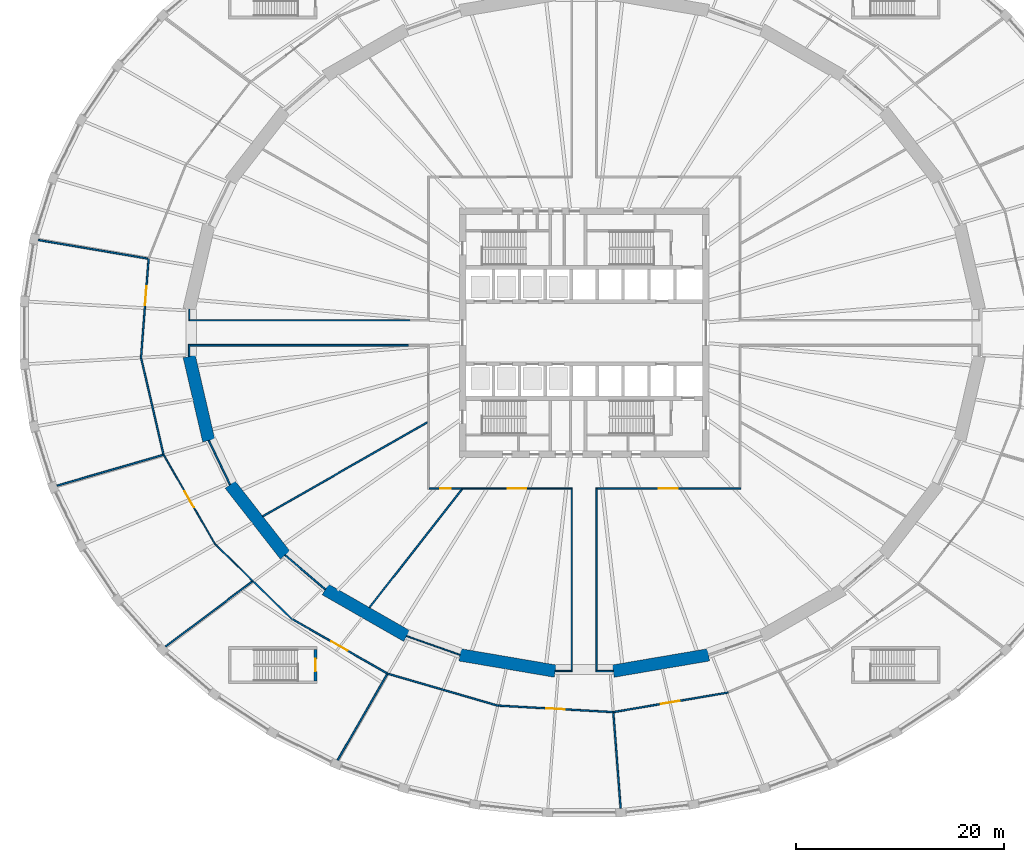
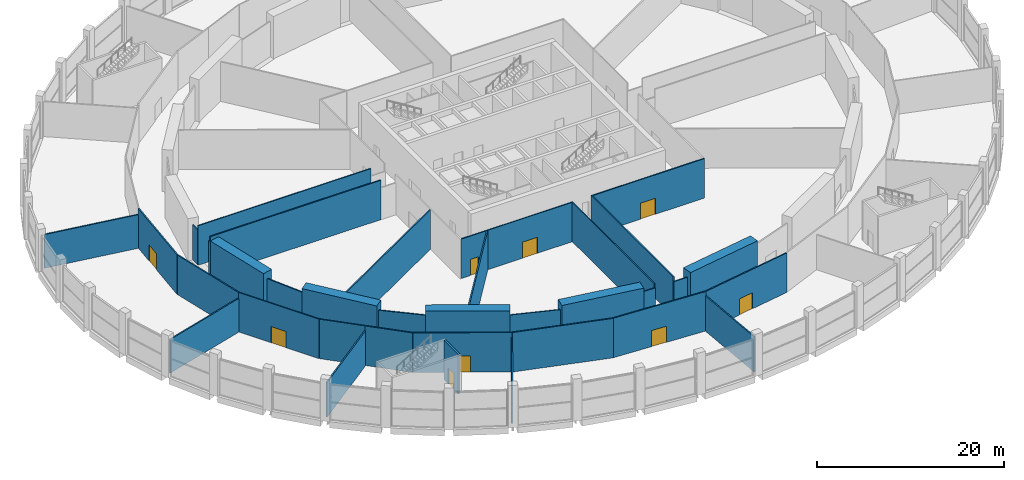
# One storey, part 20 of 29: 36 walls, 9 doors, 9 openings.
"""IFC4 building model written with IfcOpenShell, lengths in metres."""

from ifc_helpers import new_model, si_unit, direction, frame, frame_2d, origin, place, context, subcontext, project, spatial, polyline, rectangle, outline, extrude, material, layer, layer_set, type_object, element, fill, save


model = new_model("IFC4")

# Units and contexts
model_context = context("Model", 3, precision=1e-05, world=origin(), true_north=direction((0.0, 1.0)))
body_context = subcontext(model_context, "Body", "Model", "MODEL_VIEW")
ifc_project = project(units=[si_unit("LENGTHUNIT", "METRE"), si_unit("AREAUNIT", "SQUARE_METRE"), si_unit("VOLUMEUNIT", "CUBIC_METRE"), si_unit("PLANEANGLEUNIT", "RADIAN"), si_unit("MASSUNIT", "GRAM", prefix="KILO")], contexts=[model_context])

# Site, building, storey
site_placement = place(None, origin())
site = spatial("IfcSite", under=ifc_project, at=site_placement, CompositionType="ELEMENT")
building_placement = place(site_placement, origin())
building = spatial("IfcBuilding", under=site, at=building_placement, Name="Halqa Exchange Tower", CompositionType="ELEMENT")
storey_placement = place(building_placement, frame((0.0, 0.0, 12.5)))
storey = spatial("IfcBuildingStorey", under=building, at=storey_placement, Name="L02", CompositionType="ELEMENT", Elevation=12.5)

# Wall, opening, door
ifc_material_1 = material(Name="Fire-rated gypsum board")
ifc_layer_1 = layer(ifc_material_1, 0.14990234375)
ifc_layer_set_1 = layer_set([ifc_layer_1], Name="Fire-rated gypsum board")
wall_type_1 = type_object("IfcWallType", Name="Fire partition EI 60 150", PredefinedType="PARTITIONING", material=ifc_layer_set_1)
wall_1_placement = place(storey_placement, frame((-42.67822265625, -2.49658203125, 0.0), z_axis=(0.0, 0.0, 1.0), x_axis=(0.076457224601, 0.997072862336, 0.0)))
wall_1 = element("IfcWall", 1, at=wall_1_placement, inside=storey, type_object=wall_type_1, Name="L02-PWL-001", PredefinedType="PARTITIONING", context=body_context, shape_type="SweptSolid", body=[
    extrude(rectangle(XDim=9.67529296875, YDim=0.14990234375, at=frame_2d((4.837646484375, 0.0))), origin(), (0.0, 0.0, 1.0), 5.14990234375),
])
opening_1_placement = place(wall_1_placement, frame((5.1796875, 0.0, 0.0)))
opening_1 = element("IfcOpeningElement", 2, at=opening_1_placement, cuts=wall_1, Name="Opening L02-24", PredefinedType="OPENING", context=body_context, shape_type="SweptSolid", body=[
    extrude(rectangle(XDim=1.800048828125, YDim=2.10009765625, at=frame_2d((0.89990234375, 1.050048828125))), frame((0.0, 0.0869140625, 0.0), z_axis=(0.0, -1.0, 0.0), x_axis=(1.0, 0.0, 0.0)), (0.0, 0.0, 1.0), 0.173828125),
])
ifc_material_2 = material(Name="Steel fire door leaf", Category="steel")
door_type_1 = type_object("IfcDoorType", Name="Fire door FD30S double 1800 x 2100", OperationType="DOUBLE_DOOR_SINGLE_SWING", PredefinedType="DOOR", material=ifc_material_2)
door_1_placement = place(opening_1_placement, origin())
door_1 = element("IfcDoor", 3, at=door_1_placement, inside=storey, type_object=door_type_1, Name="L02-IDR-024", OperationType="DOUBLE_DOOR_SINGLE_SWING", OverallHeight=2.10009765625, OverallWidth=1.800048828125, PredefinedType="DOOR", context=body_context, shape_type="SweptSolid", body=[
    extrude(rectangle(XDim=1.800048828125, YDim=2.10009765625, at=frame_2d((0.89990234375, 1.050048828125))), frame((0.0, 0.02490234375, 0.0), z_axis=(0.0, -1.0, 0.0), x_axis=(1.0, 0.0, 0.0)), (0.0, 0.0, 1.0), 0.050048828125),
])
fill(opening_1, door_1)

# Walls
wall_2_placement = place(storey_placement, frame((-42.013916015625, 7.142578125, 0.0), z_axis=(0.0, 0.0, 1.0), x_axis=(-0.985896712353, 0.167354929928, 0.0)))
element("IfcWall", 4, at=wall_2_placement, inside=storey, type_object=wall_type_1, Name="L02-PWL-002", PredefinedType="PARTITIONING", context=body_context, shape_type="SweptSolid", body=[
    extrude(outline(polyline([(0.0, -0.074951171875), (10.707763671875, -0.074951171875), (10.716552734375, 0.074951171875), (0.0, 0.074951171875), (0.0, -0.074951171875)])), origin(), (0.0, 0.0, 1.0), 4.39697265625),
])
wall_3_placement = place(storey_placement, frame((-40.571533203125, -11.7607421875, 0.0), z_axis=(0.0, 0.0, 1.0), x_axis=(-0.960400225856, -0.278624130642, 0.0)))
element("IfcWall", 5, at=wall_3_placement, inside=storey, type_object=wall_type_1, Name="L02-PWL-004", PredefinedType="PARTITIONING", context=body_context, shape_type="SweptSolid", body=[
    extrude(outline(polyline([(0.0, -0.074951171875), (10.625244140625, -0.074951171875), (10.611083984375, 0.074951171875), (0.0, 0.074951171875), (0.0, -0.074951171875)])), origin(), (0.0, 0.0, 1.0), 4.39697265625),
])
wall_4_placement = place(storey_placement, frame((-40.497802734375, -11.749267578125, 0.0), z_axis=(0.0, 0.0, 1.0), x_axis=(-0.226077870445, 0.974109232322, 0.0)))
element("IfcWall", 6, at=wall_4_placement, inside=storey, type_object=wall_type_1, Name="L02-PWL-005", PredefinedType="PARTITIONING", context=body_context, shape_type="SweptSolid", body=[
    extrude(rectangle(XDim=9.49658203125, YDim=0.14990234375, at=frame_2d((4.748291015625, 0.0))), origin(), (0.0, 0.0, 1.0), 5.14990234375),
])
wall_5_placement = place(storey_placement, frame((-40.33740234375, -30.2255859375, 0.0), z_axis=(0.0, 0.0, 1.0), x_axis=(0.800114543622, 0.599847244792, 0.0)))
element("IfcWall", 7, at=wall_5_placement, inside=storey, type_object=wall_type_1, Name="L02-PWL-007", PredefinedType="PARTITIONING", context=body_context, shape_type="SweptSolid", body=[
    extrude(outline(polyline([(0.011474609375, -0.074951171875), (10.4853515625, -0.074951171875), (10.4853515625, 0.074951171875), (-0.011474609375, 0.074951171875), (0.011474609375, -0.074951171875)])), origin(), (0.0, 0.0, 1.0), 4.550048828125),
])
wall_6_placement = place(storey_placement, frame((-38.030029296875, -1.125, 0.0), z_axis=(0.0, 0.0, 1.0), x_axis=(0.0, -1.0, 0.0)))
element("IfcWall", 8, at=wall_6_placement, inside=storey, type_object=wall_type_1, Name="L02-PWL-009", PredefinedType="PARTITIONING", context=body_context, shape_type="SweptSolid", body=[
    extrude(outline(polyline([(0.0, -0.074951171875), (1.159912109375, -0.074951171875), (1.125244140625, 0.074951171875), (0.0, 0.074951171875), (0.0, -0.074951171875)])), origin(), (0.0, 0.0, 1.0), 4.60009765625),
])
wall_7_placement = place(storey_placement, frame((-36.14990234375, -10.3798828125, 0.0), z_axis=(0.0, 0.0, 1.0), x_axis=(0.436102687495, -0.899896908518, 0.0)))
element("IfcWall", 9, at=wall_7_placement, inside=storey, type_object=wall_type_1, Name="L02-PWL-012", PredefinedType="PARTITIONING", context=body_context, shape_type="SweptSolid", body=[
    extrude(outline(polyline([(-0.01708984375, -0.074951171875), (4.71533203125, -0.074951171875), (4.68310546875, 0.074951171875), (0.01708984375, 0.074951171875), (-0.01708984375, -0.074951171875)])), origin(), (0.0, 0.0, 1.0), 4.60009765625),
])
wall_8_placement = place(storey_placement, frame((-31.89990234375, -23.89990234375, 0.0), z_axis=(0.0, 0.0, 1.0), x_axis=(0.714809256367, -0.699319474212, 0.0)))
element("IfcWall", 10, at=wall_8_placement, inside=storey, type_object=wall_type_1, Name="L02-PWL-017", PredefinedType="PARTITIONING", context=body_context, shape_type="SweptSolid", body=[
    extrude(rectangle(XDim=5.24853515625, YDim=0.14990234375, at=frame_2d((2.624267578125, 0.0))), origin(), (0.0, 0.0, 1.0), 5.14990234375),
])
wall_9_placement = place(storey_placement, frame((-28.789306640625, -21.41064453125, 0.0), z_axis=(0.0, 0.0, 1.0), x_axis=(0.760084552743, -0.649824185978, 0.0)))
element("IfcWall", 11, at=wall_9_placement, inside=storey, type_object=wall_type_1, Name="L02-PWL-018", PredefinedType="PARTITIONING", context=body_context, shape_type="SweptSolid", body=[
    extrude(outline(polyline([(-0.015380859375, -0.074951171875), (5.089111328125, -0.074951171875), (5.060791015625, 0.074951171875), (0.015380859375, 0.074951171875), (-0.015380859375, -0.074951171875)])), origin(), (0.0, 0.0, 1.0), 4.60009765625),
])
wall_10_placement = place(storey_placement, frame((-20.679931640625, -26.449951171875, 0.0), z_axis=(0.0, 0.0, 1.0), x_axis=(0.616461511357, 0.787385042413, 0.0)))
element("IfcWall", 12, at=wall_10_placement, inside=storey, type_object=wall_type_1, Name="L02-PWL-022", PredefinedType="PARTITIONING", context=body_context, shape_type="SweptSolid", body=[
    extrude(outline(polyline([(0.010986328125, -0.074951171875), (14.517822265625, -0.074951171875), (14.517822265625, 0.074951171875), (-0.010986328125, 0.074951171875), (0.010986328125, -0.074951171875)])), origin(), (0.0, 0.0, 1.0), 5.14990234375),
])

# Wall, opening, door
wall_11_placement = place(storey_placement, frame((-18.922119140625, -32.8203125, 0.0), z_axis=(0.0, 0.0, 1.0), x_axis=(-0.867956944139, 0.496639449823, 0.0)))
wall_11 = element("IfcWall", 13, at=wall_11_placement, inside=storey, type_object=wall_type_1, Name="L02-PWL-024", PredefinedType="PARTITIONING", context=body_context, shape_type="SweptSolid", body=[
    extrude(rectangle(XDim=10.609375, YDim=0.14990234375, at=frame_2d((5.3046875, 0.0))), origin(), (0.0, 0.0, 1.0), 5.14990234375),
])
opening_2_placement = place(wall_11_placement, frame((4.46630859375, 0.0, 0.0)))
opening_2 = element("IfcOpeningElement", 14, at=opening_2_placement, cuts=wall_11, Name="Opening L02-17", PredefinedType="OPENING", context=body_context, shape_type="SweptSolid", body=[
    extrude(rectangle(XDim=1.800048828125, YDim=2.10009765625, at=frame_2d((0.89990234375, 1.050048828125))), frame((0.0, 0.0869140625, 0.0), z_axis=(0.0, -1.0, 0.0), x_axis=(1.0, 0.0, 0.0)), (0.0, 0.0, 1.0), 0.173828125),
])
door_2_placement = place(opening_2_placement, origin())
door_2 = element("IfcDoor", 15, at=door_2_placement, inside=storey, type_object=door_type_1, Name="L02-IDR-017", OperationType="DOUBLE_DOOR_SINGLE_SWING", OverallHeight=2.10009765625, OverallWidth=1.800048828125, PredefinedType="DOOR", context=body_context, shape_type="SweptSolid", body=[
    extrude(rectangle(XDim=1.800048828125, YDim=2.10009765625, at=frame_2d((0.89990234375, 1.050048828125))), frame((0.0, 0.02490234375, 0.0), z_axis=(0.0, -1.0, 0.0), x_axis=(1.0, 0.0, 0.0)), (0.0, 0.0, 1.0), 0.050048828125),
])
fill(opening_2, door_2)

# Walls
wall_12_placement = place(storey_placement, frame((-18.977294921875, -32.875, 0.0), z_axis=(0.0, 0.0, 1.0), x_axis=(-0.499235523932, -0.866466324588, 0.0)))
element("IfcWall", 16, at=wall_12_placement, inside=storey, type_object=wall_type_1, Name="L02-PWL-025", PredefinedType="PARTITIONING", context=body_context, shape_type="SweptSolid", body=[
    extrude(outline(polyline([(0.0, -0.074951171875), (9.56005859375, -0.074951171875), (9.54150390625, 0.074951171875), (0.0, 0.074951171875), (0.0, -0.074951171875)])), origin(), (0.0, 0.0, 1.0), 4.550048828125),
])
wall_13_placement = place(storey_placement, frame((-15.07421875, -8.602294921875, 0.0), z_axis=(0.0, 0.0, 1.0), x_axis=(-0.868343386691, -0.495963469209, 0.0)))
element("IfcWall", 17, at=wall_13_placement, inside=storey, type_object=wall_type_1, Name="L02-PWL-029", PredefinedType="PARTITIONING", context=body_context, shape_type="SweptSolid", body=[
    extrude(outline(polyline([(-0.042724609375, -0.074951171875), (18.292236328125, -0.074951171875), (18.270751953125, 0.074951171875), (0.042724609375, 0.074951171875), (-0.042724609375, -0.074951171875)])), origin(), (0.0, 0.0, 1.0), 5.14990234375),
])

# Wall, opening, door
wall_14_placement = place(storey_placement, frame((-11.81005859375, -15.0, 0.0), z_axis=(0.0, 0.0, 1.0), x_axis=(-1.0, 0.0, 0.0)))
wall_14 = element("IfcWall", 18, at=wall_14_placement, inside=storey, type_object=wall_type_1, Name="L02-PWL-037", PredefinedType="PARTITIONING", context=body_context, shape_type="SweptSolid", body=[
    extrude(rectangle(XDim=3.114990234375, YDim=0.14990234375, at=frame_2d((1.5576171875, 0.0))), origin(), (0.0, 0.0, 1.0), 5.14990234375),
])
opening_3_placement = place(wall_14_placement, frame((1.0400390625, 0.0, 0.0)))
opening_3 = element("IfcOpeningElement", 19, at=opening_3_placement, cuts=wall_14, Name="Opening L02-09", PredefinedType="OPENING", context=body_context, shape_type="SweptSolid", body=[
    extrude(rectangle(XDim=1.0, YDim=2.10009765625, at=frame_2d((0.5, 1.050048828125))), frame((0.0, 0.0869140625, 0.0), z_axis=(0.0, -1.0, 0.0), x_axis=(1.0, 0.0, 0.0)), (0.0, 0.0, 1.0), 0.173828125),
])
door_type_2 = type_object("IfcDoorType", Name="Fire door FD30S 1000 x 2100", OperationType="SINGLE_SWING_LEFT", PredefinedType="DOOR", material=ifc_material_2)
door_3_placement = place(opening_3_placement, origin())
door_3 = element("IfcDoor", 20, at=door_3_placement, inside=storey, type_object=door_type_2, Name="L02-IDR-009", OperationType="SINGLE_SWING_RIGHT", OverallHeight=2.10009765625, OverallWidth=1.0, PredefinedType="DOOR", context=body_context, shape_type="SweptSolid", body=[
    extrude(rectangle(XDim=1.0, YDim=2.10009765625, at=frame_2d((0.5, 1.050048828125))), frame((0.0, 0.02490234375, 0.0), z_axis=(0.0, -1.0, 0.0), x_axis=(1.0, 0.0, 0.0)), (0.0, 0.0, 1.0), 0.050048828125),
])
fill(opening_3, door_3)

# Walls
wall_15_placement = place(storey_placement, frame((-8.25634765625, -35.917236328125, 0.0), z_axis=(0.0, 0.0, 1.0), x_axis=(-0.960212446938, 0.279270579805, 0.0)))
element("IfcWall", 21, at=wall_15_placement, inside=storey, type_object=wall_type_1, Name="L02-PWL-039", PredefinedType="PARTITIONING", context=body_context, shape_type="SweptSolid", body=[
    extrude(rectangle(XDim=11.10595703125, YDim=0.14990234375, at=frame_2d((5.552978515625, 0.0))), origin(), (0.0, 0.0, 1.0), 5.14990234375),
])
wall_16_placement = place(storey_placement, frame((1.125, -32.570068359375, 0.0), z_axis=(0.0, 0.0, 1.0), x_axis=(1.0, 0.0, 0.0)))
element("IfcWall", 22, at=wall_16_placement, inside=storey, type_object=wall_type_1, Name="L02-PWL-047", PredefinedType="PARTITIONING", context=body_context, shape_type="SweptSolid", body=[
    extrude(outline(polyline([(0.0, -0.074951171875), (1.67578125, -0.074951171875), (1.650390625, 0.074951171875), (0.0, 0.074951171875), (0.0, -0.074951171875)])), origin(), (0.0, 0.0, 1.0), 4.60009765625),
])
wall_17_placement = place(storey_placement, frame((1.199951171875, -14.925048828125, 0.0), z_axis=(0.0, 0.0, 1.0), x_axis=(0.0, -1.0, 0.0)))
element("IfcWall", 23, at=wall_17_placement, inside=storey, type_object=wall_type_1, Name="L02-PWL-048", PredefinedType="PARTITIONING", context=body_context, shape_type="SweptSolid", body=[
    extrude(rectangle(XDim=17.570068359375, YDim=0.14990234375, at=frame_2d((8.78515625, 0.0))), origin(), (0.0, 0.0, 1.0), 5.14990234375),
])

# Wall, opening, door
wall_18_placement = place(storey_placement, frame((2.81591796875, -36.52099609375, 0.0), z_axis=(0.0, 0.0, 1.0), x_axis=(-0.998406555372, 0.056430046876, 0.0)))
wall_18 = element("IfcWall", 24, at=wall_18_placement, inside=storey, type_object=wall_type_1, Name="L02-PWL-052", PredefinedType="PARTITIONING", context=body_context, shape_type="SweptSolid", body=[
    extrude(rectangle(XDim=11.084228515625, YDim=0.14990234375, at=frame_2d((5.5419921875, 0.0))), origin(), (0.0, 0.0, 1.0), 5.14990234375),
])
opening_4_placement = place(wall_18_placement, frame((4.699951171875, 0.0, 0.0)))
opening_4 = element("IfcOpeningElement", 25, at=opening_4_placement, cuts=wall_18, Name="Opening L02-26", PredefinedType="OPENING", context=body_context, shape_type="SweptSolid", body=[
    extrude(rectangle(XDim=1.800048828125, YDim=2.10009765625, at=frame_2d((0.89990234375, 1.050048828125))), frame((0.0, 0.0869140625, 0.0), z_axis=(0.0, -1.0, 0.0), x_axis=(1.0, 0.0, 0.0)), (0.0, 0.0, 1.0), 0.173828125),
])
door_4_placement = place(opening_4_placement, origin())
door_4 = element("IfcDoor", 26, at=door_4_placement, inside=storey, type_object=door_type_1, Name="L02-IDR-026", OperationType="DOUBLE_DOOR_SINGLE_SWING", OverallHeight=2.10009765625, OverallWidth=1.800048828125, PredefinedType="DOOR", context=body_context, shape_type="SweptSolid", body=[
    extrude(rectangle(XDim=1.800048828125, YDim=2.10009765625, at=frame_2d((0.89990234375, 1.050048828125))), frame((0.0, 0.02490234375, 0.0), z_axis=(0.0, -1.0, 0.0), x_axis=(1.0, 0.0, 0.0)), (0.0, 0.0, 1.0), 0.050048828125),
])
fill(opening_4, door_4)

# Wall
wall_19_placement = place(storey_placement, frame((2.8056640625, -36.5947265625, 0.0), z_axis=(0.0, 0.0, 1.0), x_axis=(0.076140518104, -0.997097097329, 0.0)))
element("IfcWall", 27, at=wall_19_placement, inside=storey, type_object=wall_type_1, Name="L02-PWL-053", PredefinedType="PARTITIONING", context=body_context, shape_type="SweptSolid", body=[
    extrude(outline(polyline([(0.0, -0.074951171875), (9.233154296875, -0.074951171875), (9.236083984375, 0.074951171875), (0.0, 0.074951171875), (0.0, -0.074951171875)])), origin(), (0.0, 0.0, 1.0), 4.60009765625),
])

# Wall, opening, door
wall_20_placement = place(storey_placement, frame((13.857177734375, -34.63330078125, 0.0), z_axis=(0.0, 0.0, 1.0), x_axis=(-0.985751589261, -0.168207622505, 0.0)))
wall_20 = element("IfcWall", 28, at=wall_20_placement, inside=storey, type_object=wall_type_1, Name="L02-PWL-056", PredefinedType="PARTITIONING", context=body_context, shape_type="SweptSolid", body=[
    extrude(rectangle(XDim=11.2021484375, YDim=0.14990234375, at=frame_2d((5.60107421875, 0.0))), origin(), (0.0, 0.0, 1.0), 5.14990234375),
])
opening_5_placement = place(wall_20_placement, frame((4.7578125, 0.0, 0.0)))
opening_5 = element("IfcOpeningElement", 29, at=opening_5_placement, cuts=wall_20, Name="Opening L02-27", PredefinedType="OPENING", context=body_context, shape_type="SweptSolid", body=[
    extrude(rectangle(XDim=1.800048828125, YDim=2.10009765625, at=frame_2d((0.89990234375, 1.050048828125))), frame((0.0, 0.0869140625, 0.0), z_axis=(0.0, -1.0, 0.0), x_axis=(1.0, 0.0, 0.0)), (0.0, 0.0, 1.0), 0.173828125),
])
door_5_placement = place(opening_5_placement, origin())
door_5 = element("IfcDoor", 30, at=door_5_placement, inside=storey, type_object=door_type_1, Name="L02-IDR-027", OperationType="DOUBLE_DOOR_SINGLE_SWING", OverallHeight=2.10009765625, OverallWidth=1.800048828125, PredefinedType="DOOR", context=body_context, shape_type="SweptSolid", body=[
    extrude(rectangle(XDim=1.800048828125, YDim=2.10009765625, at=frame_2d((0.89990234375, 1.050048828125))), frame((0.0, 0.02490234375, 0.0), z_axis=(0.0, -1.0, 0.0), x_axis=(1.0, 0.0, 0.0)), (0.0, 0.0, 1.0), 0.050048828125),
])
fill(opening_5, door_5)

wall_21_placement = place(storey_placement, frame((15.074951171875, -15.0, 0.0), z_axis=(0.0, 0.0, 1.0), x_axis=(-1.0, 0.0, 0.0)))
wall_21 = element("IfcWall", 31, at=wall_21_placement, inside=storey, type_object=wall_type_1, Name="L02-PWL-058", PredefinedType="PARTITIONING", context=body_context, shape_type="SweptSolid", body=[
    extrude(rectangle(XDim=13.800048828125, YDim=0.14990234375, at=frame_2d((6.89990234375, 0.0))), origin(), (0.0, 0.0, 1.0), 5.14990234375),
])
opening_6_placement = place(wall_21_placement, frame((6.090087890625, 0.0, 0.0)))
opening_6 = element("IfcOpeningElement", 32, at=opening_6_placement, cuts=wall_21, Name="Opening L02-11", PredefinedType="OPENING", context=body_context, shape_type="SweptSolid", body=[
    extrude(rectangle(XDim=1.800048828125, YDim=2.10009765625, at=frame_2d((0.89990234375, 1.050048828125))), frame((0.0, 0.0869140625, 0.0), z_axis=(0.0, -1.0, 0.0), x_axis=(1.0, 0.0, 0.0)), (0.0, 0.0, 1.0), 0.173828125),
])
door_6_placement = place(opening_6_placement, origin())
door_6 = element("IfcDoor", 33, at=door_6_placement, inside=storey, type_object=door_type_1, Name="L02-IDR-011", OperationType="DOUBLE_DOOR_SINGLE_SWING", OverallHeight=2.10009765625, OverallWidth=1.800048828125, PredefinedType="DOOR", context=body_context, shape_type="SweptSolid", body=[
    extrude(rectangle(XDim=1.800048828125, YDim=2.10009765625, at=frame_2d((0.89990234375, 1.050048828125))), frame((0.0, 0.02490234375, 0.0), z_axis=(0.0, -1.0, 0.0), x_axis=(1.0, 0.0, 0.0)), (0.0, 0.0, 1.0), 0.050048828125),
])
fill(opening_6, door_6)

# Walls
wall_22_placement = place(storey_placement, frame((-16.91796875, -1.199951171875, 0.0), z_axis=(0.0, 0.0, 1.0), x_axis=(-1.0, 0.0, 0.0)))
element("IfcWall", 34, at=wall_22_placement, inside=storey, type_object=wall_type_1, Name="L02-PWL-089", PredefinedType="PARTITIONING", context=body_context, shape_type="SweptSolid", body=[
    extrude(rectangle(XDim=21.037109375, YDim=0.14990234375, at=frame_2d((10.5185546875, 0.0))), origin(), (0.0, 0.0, 1.0), 5.14990234375),
])
ifc_material_3 = material(Name="Fire-rated glazing", Category="glass")
ifc_layer_2 = layer(ifc_material_3, 0.1201171875)
ifc_layer_set_2 = layer_set([ifc_layer_2], Name="Fire-rated glazing")
wall_type_2 = type_object("IfcWallType", Name="Glazed fire partition EI 60 120", PredefinedType="PARTITIONING", material=ifc_layer_set_2)
wall_23_placement = place(storey_placement, frame((-38.090087890625, 1.199951171875, 0.0), z_axis=(0.0, 0.0, 1.0), x_axis=(1.0, 0.0, 0.0)))
element("IfcWall", 35, at=wall_23_placement, inside=storey, type_object=wall_type_2, Name="L02-PWL-010", PredefinedType="PARTITIONING", context=body_context, shape_type="SweptSolid", body=[
    extrude(rectangle(XDim=21.349853515625, YDim=0.1201171875, at=frame_2d((10.6748046875, 0.0))), origin(), (0.0, 0.0, 1.0), 5.14990234375),
])
wall_24_placement = place(storey_placement, frame((-38.030029296875, 2.267578125, 0.0), z_axis=(0.0, 0.0, 1.0), x_axis=(0.0, -1.0, 0.0)))
element("IfcWall", 36, at=wall_24_placement, inside=storey, type_object=wall_type_2, Name="L02-PWL-011", PredefinedType="PARTITIONING", context=body_context, shape_type="SweptSolid", body=[
    extrude(outline(polyline([(-0.013916015625, -0.06005859375), (1.007568359375, -0.06005859375), (1.007568359375, 0.06005859375), (0.013916015625, 0.06005859375), (-0.013916015625, -0.06005859375)])), origin(), (0.0, 0.0, 1.0), 4.60009765625),
])

# Wall, opening, door
wall_25_placement = place(storey_placement, frame((-35.529052734375, -20.381103515625, 0.0), z_axis=(0.0, 0.0, 1.0), x_axis=(-0.498652566112, 0.866801948723, 0.0)))
wall_25 = element("IfcWall", 37, at=wall_25_placement, inside=storey, type_object=wall_type_2, Name="L02-PWL-013", PredefinedType="PARTITIONING", context=body_context, shape_type="SweptSolid", body=[
    extrude(rectangle(XDim=9.9599609375, YDim=0.1201171875, at=frame_2d((4.97998046875, 0.0))), origin(), (0.0, 0.0, 1.0), 5.14990234375),
])
opening_7_placement = place(wall_25_placement, frame((4.12548828125, 0.0, 0.0)))
opening_7 = element("IfcOpeningElement", 38, at=opening_7_placement, cuts=wall_25, Name="Opening L02-25", PredefinedType="OPENING", context=body_context, shape_type="SweptSolid", body=[
    extrude(rectangle(XDim=1.800048828125, YDim=2.10009765625, at=frame_2d((0.89990234375, 1.050048828125))), frame((0.0, 0.072021484375, 0.0), z_axis=(0.0, -1.0, 0.0), x_axis=(1.0, 0.0, 0.0)), (0.0, 0.0, 1.0), 0.14404296875),
])
door_7_placement = place(opening_7_placement, origin())
door_7 = element("IfcDoor", 39, at=door_7_placement, inside=storey, type_object=door_type_1, Name="L02-IDR-025", OperationType="DOUBLE_DOOR_SINGLE_SWING", OverallHeight=2.10009765625, OverallWidth=1.800048828125, PredefinedType="DOOR", context=body_context, shape_type="SweptSolid", body=[
    extrude(rectangle(XDim=1.800048828125, YDim=2.10009765625, at=frame_2d((0.89990234375, 1.050048828125))), frame((0.0, 0.02490234375, 0.0), z_axis=(0.0, -1.0, 0.0), x_axis=(1.0, 0.0, 0.0)), (0.0, 0.0, 1.0), 0.050048828125),
])
fill(opening_7, door_7)

# Walls
wall_26_placement = place(storey_placement, frame((-35.509521484375, -20.369140625, 0.0), z_axis=(0.0, 0.0, 1.0), x_axis=(0.714847158957, -0.699280729987, 0.0)))
element("IfcWall", 40, at=wall_26_placement, inside=storey, type_object=wall_type_2, Name="L02-PWL-014", PredefinedType="PARTITIONING", context=body_context, shape_type="SweptSolid", body=[
    extrude(rectangle(XDim=5.05029296875, YDim=0.1201171875, at=frame_2d((2.525146484375, 0.0))), origin(), (0.0, 0.0, 1.0), 5.14990234375),
])
wall_27_placement = place(storey_placement, frame((-17.0908203125, -29.19970703125, 0.0), z_axis=(0.0, 0.0, 1.0), x_axis=(0.942814385805, -0.333318217204, 0.0)))
element("IfcWall", 41, at=wall_27_placement, inside=storey, type_object=wall_type_2, Name="L02-PWL-027", PredefinedType="PARTITIONING", context=body_context, shape_type="SweptSolid", body=[
    extrude(outline(polyline([(-0.010986328125, -0.06005859375), (5.445068359375, -0.06005859375), (5.424560546875, 0.06005859375), (0.010986328125, 0.06005859375), (-0.010986328125, -0.06005859375)])), origin(), (0.0, 0.0, 1.0), 4.60009765625),
])
wall_28_placement = place(storey_placement, frame((-2.7880859375, -32.570068359375, 0.0), z_axis=(0.0, 0.0, 1.0), x_axis=(1.0, 0.0, 0.0)))
element("IfcWall", 42, at=wall_28_placement, inside=storey, type_object=wall_type_2, Name="L02-PWL-042", PredefinedType="PARTITIONING", context=body_context, shape_type="SweptSolid", body=[
    extrude(outline(polyline([(-0.01025390625, -0.06005859375), (1.648193359375, -0.06005859375), (1.648193359375, 0.06005859375), (0.01025390625, 0.06005859375), (-0.01025390625, -0.06005859375)])), origin(), (0.0, 0.0, 1.0), 4.60009765625),
])
wall_29_placement = place(storey_placement, frame((-1.199951171875, -32.510009765625, 0.0), z_axis=(0.0, 0.0, 1.0), x_axis=(0.0, 1.0, 0.0)))
element("IfcWall", 43, at=wall_29_placement, inside=storey, type_object=wall_type_2, Name="L02-PWL-043", PredefinedType="PARTITIONING", context=body_context, shape_type="SweptSolid", body=[
    extrude(rectangle(XDim=17.570068359375, YDim=0.1201171875, at=frame_2d((8.78515625, 0.0))), origin(), (0.0, 0.0, 1.0), 5.14990234375),
])

# Wall, opening, door
wall_30_placement = place(storey_placement, frame((-1.260009765625, -15.0, 0.0), z_axis=(0.0, 0.0, 1.0), x_axis=(-1.0, 0.0, 0.0)))
wall_30 = element("IfcWall", 44, at=wall_30_placement, inside=storey, type_object=wall_type_2, Name="L02-PWL-044", PredefinedType="PARTITIONING", context=body_context, shape_type="SweptSolid", body=[
    extrude(rectangle(XDim=10.49560546875, YDim=0.1201171875, at=frame_2d((5.247802734375, 0.0))), origin(), (0.0, 0.0, 1.0), 5.14990234375),
])
opening_8_placement = place(wall_30_placement, frame((4.30908203125, 0.0, 0.0)))
opening_8 = element("IfcOpeningElement", 45, at=opening_8_placement, cuts=wall_30, Name="Opening L02-10", PredefinedType="OPENING", context=body_context, shape_type="SweptSolid", body=[
    extrude(rectangle(XDim=1.800048828125, YDim=2.10009765625, at=frame_2d((0.89990234375, 1.050048828125))), frame((0.0, 0.072021484375, 0.0), z_axis=(0.0, -1.0, 0.0), x_axis=(1.0, 0.0, 0.0)), (0.0, 0.0, 1.0), 0.14404296875),
])
door_8_placement = place(opening_8_placement, origin())
door_8 = element("IfcDoor", 46, at=door_8_placement, inside=storey, type_object=door_type_1, Name="L02-IDR-010", OperationType="DOUBLE_DOOR_SINGLE_SWING", OverallHeight=2.10009765625, OverallWidth=1.800048828125, PredefinedType="DOOR", context=body_context, shape_type="SweptSolid", body=[
    extrude(rectangle(XDim=1.800048828125, YDim=2.10009765625, at=frame_2d((0.89990234375, 1.050048828125))), frame((0.0, 0.02490234375, 0.0), z_axis=(0.0, -1.0, 0.0), x_axis=(1.0, 0.0, 0.0)), (0.0, 0.0, 1.0), 0.050048828125),
])
fill(opening_8, door_8)

# Walls
ifc_material_4 = material(Name="Concrete C80/95", Category="concrete")
ifc_layer_3 = layer(ifc_material_4, 1.199951171875)
ifc_layer_set_3 = layer_set([ifc_layer_3], Name="Concrete C80/95")
wall_type_3 = type_object("IfcWallType", Name="RC ring pier 1200 C80/95", PredefinedType="SHEAR", material=ifc_layer_set_3)
wall_31_placement = place(storey_placement, frame((-38.03173828125, -2.26708984375, 0.0), z_axis=(0.0, 0.0, 1.0), x_axis=(0.226058185805, -0.974113800657, 0.0)))
element("IfcWall", 47, at=wall_31_placement, inside=storey, type_object=wall_type_3, Name="Ring pier 9", PredefinedType="SHEAR", context=body_context, shape_type="SweptSolid", body=[
    extrude(rectangle(XDim=8.328857421875, YDim=1.199951171875, at=frame_2d((4.16455078125, 0.0))), origin(), (0.0, 0.0, 1.0), 5.5),
])
wall_32_placement = place(storey_placement, frame((-34.09716796875, -14.60498046875, 0.0), z_axis=(0.0, 0.0, 1.0), x_axis=(0.614825322247, -0.788663314174, 0.0)))
element("IfcWall", 48, at=wall_32_placement, inside=storey, type_object=wall_type_3, Name="Ring pier 10", PredefinedType="SHEAR", context=body_context, shape_type="SweptSolid", body=[
    extrude(rectangle(XDim=8.631591796875, YDim=1.199951171875, at=frame_2d((4.31591796875, 0.0))), origin(), (0.0, 0.0, 1.0), 5.5),
])
wall_33_placement = place(storey_placement, frame((-24.931396484375, -24.705810546875, 0.0), z_axis=(0.0, 0.0, 1.0), x_axis=(0.867760656864, -0.496982336103, 0.0)))
element("IfcWall", 49, at=wall_33_placement, inside=storey, type_object=wall_type_3, Name="Ring pier 11", PredefinedType="SHEAR", context=body_context, shape_type="SweptSolid", body=[
    extrude(rectangle(XDim=9.037841796875, YDim=1.199951171875, at=frame_2d((4.51904296875, 0.0))), origin(), (0.0, 0.0, 1.0), 5.5),
])
for number, where, z_axis, x_axis, name in (
    (50, (-11.96728515625, -31.00927734375, 0.0), (0.0, 0.0, 1.0), (0.985776286846, -0.168062822456, 0.0), "Ring pier 12"),
    (51, (2.7880859375, -32.57421875, 0.0), (0.0, 0.0, 1.0), (0.985776286846, 0.168062822456, 0.0), "Ring pier 13"),
):
    element("IfcWall", number, at=place(storey_placement, frame(where, z_axis=z_axis, x_axis=x_axis)), inside=storey, type_object=wall_type_3, Name=name, PredefinedType="SHEAR", context=body_context, shape_type="SweptSolid", body=[
        extrude(rectangle(XDim=9.3115234375, YDim=1.199951171875, at=frame_2d((4.65576171875, 0.0))), origin(), (0.0, 0.0, 1.0), 5.5),
    ])

# Wall, opening, door
ifc_material_5 = material(Name="Concrete C30/37", Category="concrete")
ifc_layer_4 = layer(ifc_material_5, 0.25)
ifc_layer_set_4 = layer_set([ifc_layer_4], Name="Concrete C30/37")
wall_type_4 = type_object("IfcWallType", Name="RC stair wall 250 C30/37", PredefinedType="SHEAR", material=ifc_layer_set_4)
wall_34_placement = place(storey_placement, frame((-25.875, -33.52490234375, 0.0), z_axis=(0.0, 0.0, 1.0), x_axis=(0.0, 1.0, 0.0)))
wall_34 = element("IfcWall", 52, at=wall_34_placement, inside=storey, type_object=wall_type_4, Name="Stair PS4 wall east", PredefinedType="SHEAR", context=body_context, shape_type="SweptSolid", body=[
    extrude(rectangle(XDim=3.0498046875, YDim=0.25, at=frame_2d((1.52490234375, 0.0))), origin(), (0.0, 0.0, 1.0), 5.14990234375),
])
opening_9_placement = place(wall_34_placement, frame((0.925048828125, 0.0, 0.0)))
opening_9 = element("IfcOpeningElement", 53, at=opening_9_placement, cuts=wall_34, Name="Opening L02-C18", PredefinedType="OPENING", context=body_context, shape_type="SweptSolid", body=[
    extrude(rectangle(XDim=1.199951171875, YDim=2.10009765625, at=frame_2d((0.60009765625, 1.050048828125))), frame((0.0, 0.136962890625, 0.0), z_axis=(0.0, -1.0, 0.0), x_axis=(1.0, 0.0, 0.0)), (0.0, 0.0, 1.0), 0.27392578125),
])
door_type_3 = type_object("IfcDoorType", Name="Stair door FD90 1200 x 2100", OperationType="SINGLE_SWING_LEFT", PredefinedType="DOOR", material=ifc_material_2)
door_9_placement = place(opening_9_placement, origin())
door_9 = element("IfcDoor", 54, at=door_9_placement, inside=storey, type_object=door_type_3, Name="Stair door PS4", OperationType="SINGLE_SWING_RIGHT", OverallHeight=2.10009765625, OverallWidth=1.199951171875, PredefinedType="DOOR", context=body_context, shape_type="SweptSolid", body=[
    extrude(rectangle(XDim=1.199951171875, YDim=2.10009765625, at=frame_2d((0.60009765625, 1.050048828125))), frame((0.0, 0.02490234375, 0.0), z_axis=(0.0, -1.0, 0.0), x_axis=(1.0, 0.0, 0.0)), (0.0, 0.0, 1.0), 0.050048828125),
])
fill(opening_9, door_9)

save(model, "model.ifc")
